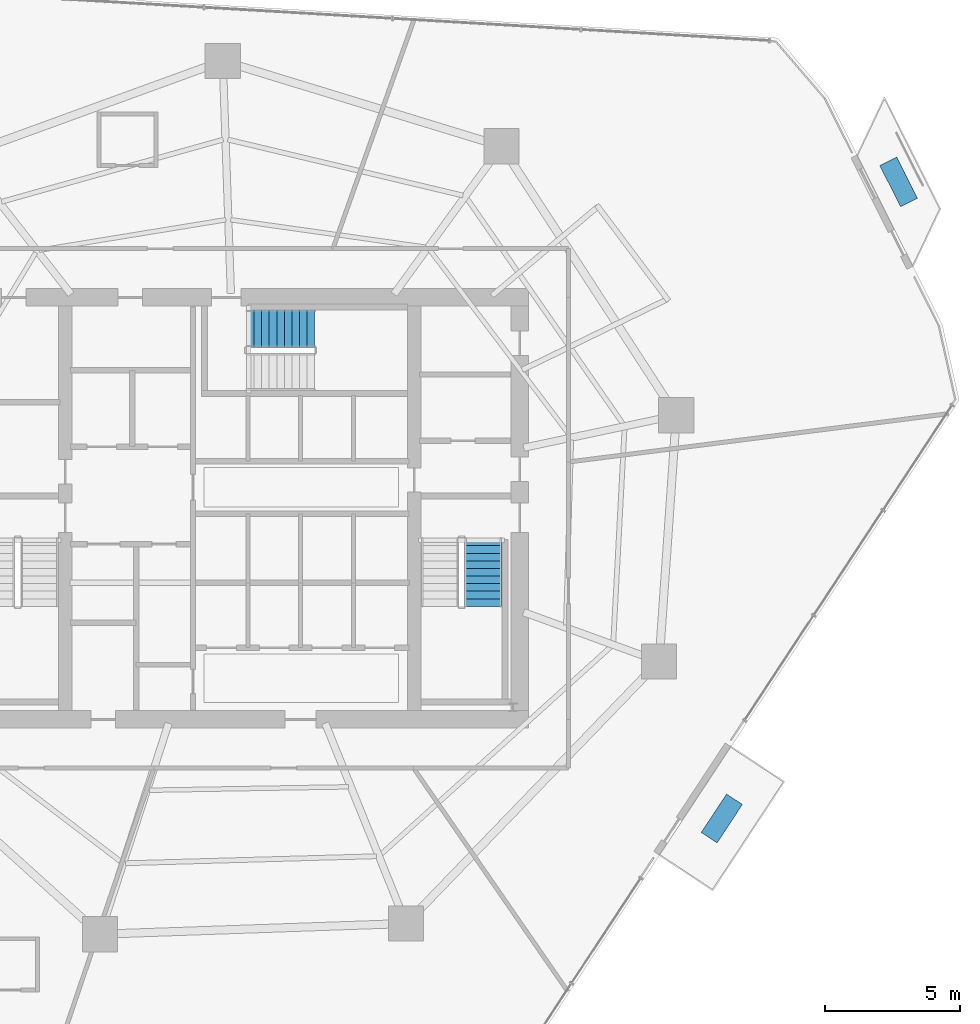
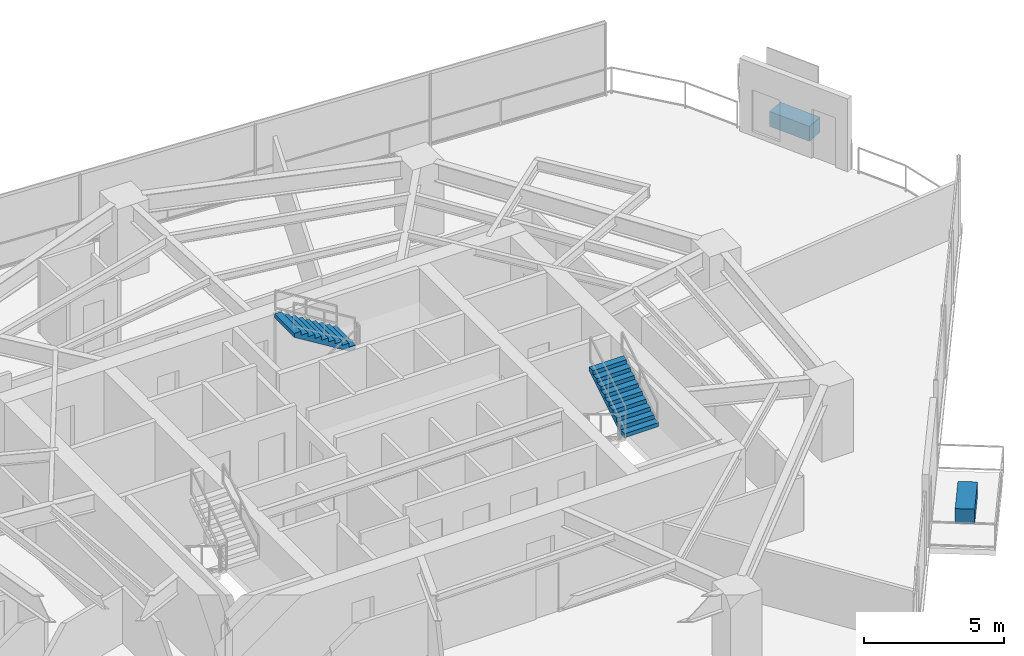
# One storey, part 26 of 28: 2 discrete accessories, 2 stair flights, 2 elements without a shape of their own.
"""IFC4 building model written with IfcOpenShell, lengths in metres."""

from ifc_helpers import new_model, si_unit, direction, frame, origin, origin_2d, place, context, subcontext, project, spatial, polyline, rectangle, outline, extrude, material, type_object, element, aggregate, save


model = new_model("IFC4")

# Units and contexts
model_context = context("Model", 3, precision=1e-05, world=origin(), true_north=direction((0.0, 1.0)))
body_context = subcontext(model_context, "Body", "Model", "MODEL_VIEW")
ifc_project = project(units=[si_unit("LENGTHUNIT", "METRE"), si_unit("AREAUNIT", "SQUARE_METRE"), si_unit("VOLUMEUNIT", "CUBIC_METRE"), si_unit("PLANEANGLEUNIT", "RADIAN"), si_unit("MASSUNIT", "GRAM", prefix="KILO")], contexts=[model_context])

# Site, building, storey
site_placement = place(None, origin())
site = spatial("IfcSite", under=ifc_project, at=site_placement, CompositionType="ELEMENT")
building_placement = place(site_placement, origin())
building = spatial("IfcBuilding", under=site, at=building_placement, Name="Qarnah Convention Tower", CompositionType="ELEMENT")
storey_placement = place(building_placement, frame((0.0, 0.0, 54.60009765625)))
storey = spatial("IfcBuildingStorey", under=building, at=storey_placement, Name="L13", CompositionType="ELEMENT", Elevation=54.60009765625)

# Stair, stair flight
ifc_material_1 = material(Name="Concrete C50/60", Category="concrete")
stair_type = type_object("IfcStairType", Name="STR-HTL", PredefinedType="HALF_TURN_STAIR", material=ifc_material_1)
stair_1_placement = place(storey_placement, origin())
stair_1 = element("IfcStair", 1, at=stair_1_placement, inside=storey, type_object=stair_type, Name="L13 Core exit stair ST-2", PredefinedType="HALF_TURN_STAIR")
stair_flight_type = type_object("IfcStairFlightType", Name="FLT-HTL", PredefinedType="STRAIGHT", material=ifc_material_1)
stair_flight_1_placement = place(storey_placement, frame((46.25, 22.780029296875, 1.724853515625), z_axis=(0.0, 0.0, 1.0), x_axis=(0.0, 1.0, 0.0)))
stair_flight_1 = element("IfcStairFlight", 2, at=stair_flight_1_placement, type_object=stair_flight_type, Name="ST-2 flight 2", NumberOfRisers=10, NumberOfTreads=9, PredefinedType="STRAIGHT", RiserHeight=0.1725, TreadLength=0.28, context=body_context, shape_type="SweptSolid", body=[
    extrude(outline(polyline([(0.0, 0.0), (0.0, 0.172607421875), (0.280029296875, 0.172607421875), (0.280029296875, 0.344970703125), (0.56005859375, 0.344970703125), (0.56005859375, 0.517578125), (0.840087890625, 0.517578125), (0.840087890625, 0.68994140625), (1.1201171875, 0.68994140625), (1.1201171875, 0.862548828125), (1.39990234375, 0.862548828125), (1.39990234375, 1.034912109375), (1.679931640625, 1.034912109375), (1.679931640625, 1.20751953125), (1.9599609375, 1.20751953125), (1.9599609375, 1.3798828125), (2.239990234375, 1.3798828125), (2.239990234375, 1.552490234375), (2.52001953125, 1.552490234375), (2.52001953125, 1.72509765625), (2.52001953125, 1.37646484375), (0.285888671875, 0.0), (0.0, 0.0)])), frame((0.0, 0.699951171875, 0.0), z_axis=(0.0, -1.0, 0.0), x_axis=(1.0, 0.0, 0.0)), (0.0, 0.0, 1.0), 1.39990234375),
])
aggregate(stair_1, [stair_flight_1])

stair_2_placement = place(storey_placement, origin())
stair_2 = element("IfcStair", 3, at=stair_2_placement, inside=storey, type_object=stair_type, Name="L13 Core exit stair ST-3", PredefinedType="HALF_TURN_STAIR")
stair_flight_2_placement = place(storey_placement, frame((40.02001953125, 33.050048828125, 1.724853515625), z_axis=(0.0, 0.0, 1.0), x_axis=(-1.0, 0.0, 0.0)))
stair_flight_2 = element("IfcStairFlight", 4, at=stair_flight_2_placement, type_object=stair_flight_type, Name="ST-3 flight 2", NumberOfRisers=10, NumberOfTreads=9, PredefinedType="STRAIGHT", RiserHeight=0.1725, TreadLength=0.28, context=body_context, shape_type="SweptSolid", body=[
    extrude(outline(polyline([(0.0, 0.0), (0.0, 0.172607421875), (0.280029296875, 0.172607421875), (0.280029296875, 0.344970703125), (0.56005859375, 0.344970703125), (0.56005859375, 0.517578125), (0.840087890625, 0.517578125), (0.840087890625, 0.68994140625), (1.1201171875, 0.68994140625), (1.1201171875, 0.862548828125), (1.39990234375, 0.862548828125), (1.39990234375, 1.034912109375), (1.679931640625, 1.034912109375), (1.679931640625, 1.20751953125), (1.9599609375, 1.20751953125), (1.9599609375, 1.3798828125), (2.239990234375, 1.3798828125), (2.239990234375, 1.552490234375), (2.52001953125, 1.552490234375), (2.52001953125, 1.72509765625), (2.52001953125, 1.37646484375), (0.285888671875, 0.0), (0.0, 0.0)])), frame((0.0, 0.699951171875, 0.0), z_axis=(0.0, -1.0, 0.0), x_axis=(1.0, 0.0, 0.0)), (0.0, 0.0, 1.0), 1.39990234375),
])
aggregate(stair_2, [stair_flight_2])

# Discrete accessories
ifc_material_2 = material(Name="Precast concrete C45/55", Category="concrete")
discrete_accessory_type = type_object("IfcDiscreteAccessoryType", Name="ACC-PLANTER-900", PredefinedType="USERDEFINED", material=ifc_material_2)
for number, where, z_axis, x_axis, name in (
    (5, (61.60791015625, 38.468017578125, 0.0), (0.0, 0.0, 1.0), (-0.448539214018, 0.893763152903, 0.0), "L13 irrigated desert balcony PLANTER BAL-L13-C1"),
    (6, (55.070068359375, 14.93896484375, 0.0), (0.0, 0.0, 1.0), (0.549897772225, 0.83523196784, 0.0), "L13 irrigated desert balcony PLANTER VN-L13"),
):
    element("IfcDiscreteAccessory", number, at=place(storey_placement, frame(where, z_axis=z_axis, x_axis=x_axis)), inside=storey, type_object=discrete_accessory_type, Name=name, ObjectType="PLANTER", PredefinedType="USERDEFINED", context=body_context, shape_type="SweptSolid", body=[
        extrude(rectangle(XDim=1.699951171875, YDim=0.699951171875, at=origin_2d()), origin(), (0.0, 0.0, 1.0), 0.64990234375),
    ])

save(model, "model.ifc")
